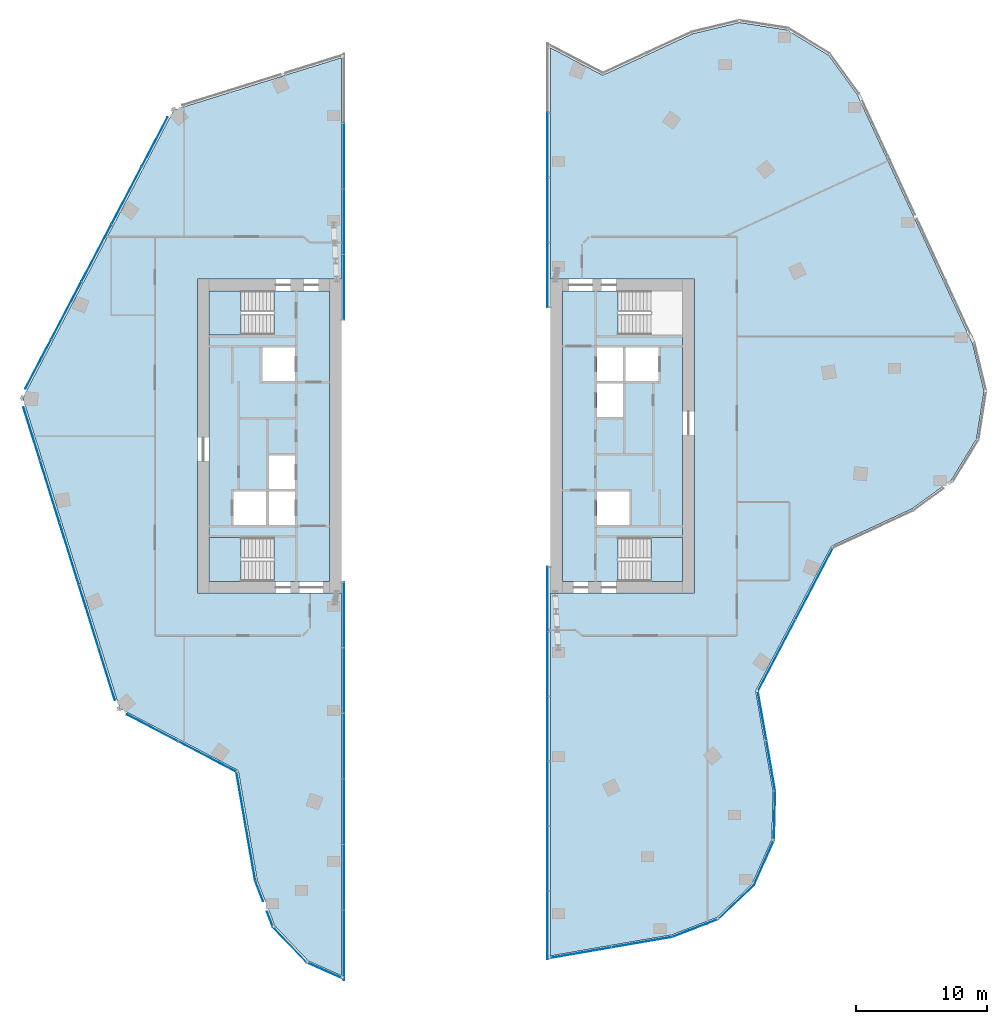
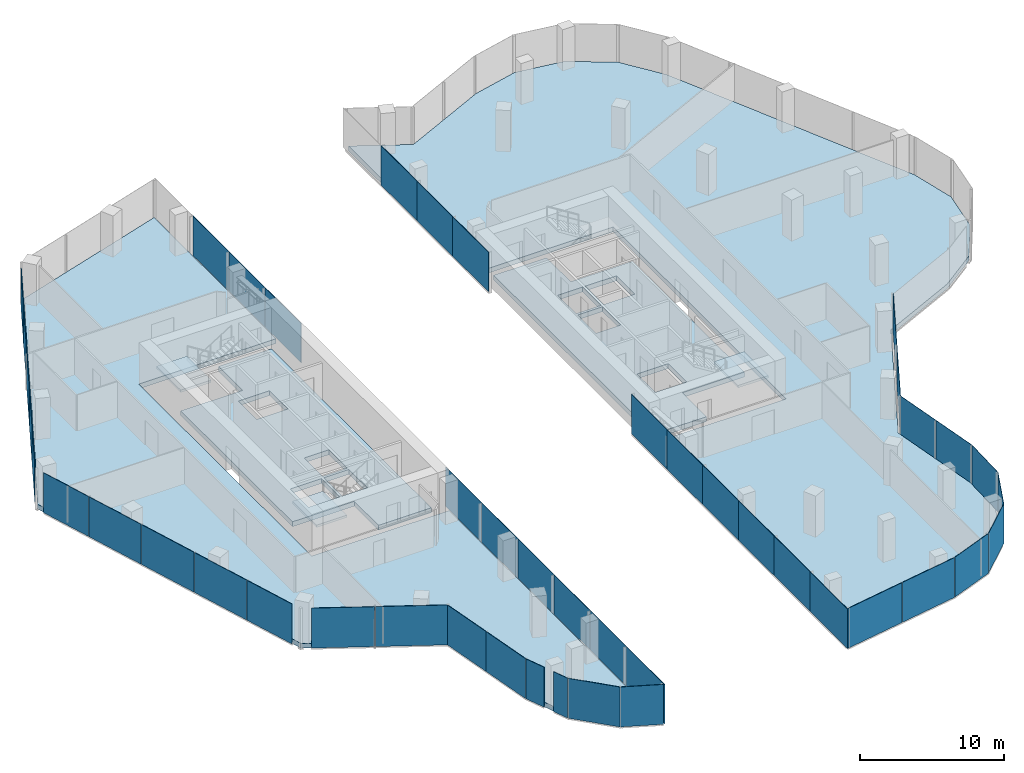
# One storey, part 16 of 23: 46 plates, 7 slabs, 19 elements without a shape of their own.
"""IFC4 building model written with IfcOpenShell, lengths in metres."""

from ifc_helpers import new_model, si_unit, direction, frame, origin, origin_2d, place, context, subcontext, project, spatial, polyline, rectangle, outline, extrude, material, layer, layer_set, type_object, element, aggregate, save


model = new_model("IFC4")

# Units and contexts
model_context = context("Model", 3, precision=1e-05, world=origin(), true_north=direction((0.0, 1.0)))
body_context = subcontext(model_context, "Body", "Model", "MODEL_VIEW")
ifc_project = project(units=[si_unit("LENGTHUNIT", "METRE"), si_unit("AREAUNIT", "SQUARE_METRE"), si_unit("VOLUMEUNIT", "CUBIC_METRE"), si_unit("PLANEANGLEUNIT", "RADIAN"), si_unit("MASSUNIT", "GRAM", prefix="KILO")], contexts=[model_context])

# Site, building, storey
site_placement = place(None, origin())
site = spatial("IfcSite", under=ifc_project, at=site_placement, CompositionType="ELEMENT")
building_placement = place(site_placement, origin())
building = spatial("IfcBuilding", under=site, at=building_placement, Name="Orlundy Tower", CompositionType="ELEMENT")
storey_placement = place(building_placement, frame((0.0, 0.0, 257.0)))
storey = spatial("IfcBuildingStorey", under=building, at=storey_placement, Name="L68", CompositionType="ELEMENT", Elevation=257.0)

# Curtain wall, plates
ifc_material_1 = material(Name="Aluminium bronze anodised", Category="aluminium")
curtain_wall_type = type_object("IfcCurtainWallType", Name="CW1 wall", PredefinedType="NOTDEFINED", material=ifc_material_1)
curtain_wall_1_placement = place(storey_placement, origin())
curtain_wall_1 = element("IfcCurtainWall", 1, at=curtain_wall_1_placement, inside=storey, type_object=curtain_wall_type, Name="CW1 run 00", PredefinedType="NOTDEFINED")
ifc_material_2 = material(Name="Tinted glass", Category="glass")
ifc_layer_1 = layer(ifc_material_2, 0.031982421875)
ifc_layer_set_1 = layer_set([ifc_layer_1], Name="CW1 glass panel 32")
plate_type_1 = type_object("IfcPlateType", Name="CW1 glass panel 32", PredefinedType="CURTAIN_PANEL", material=ifc_layer_set_1)
plate_1_placement = place(storey_placement, frame((-18.236328125, -24.4970703125, -0.280029296875), z_axis=(0.0, 0.0, 1.0), x_axis=(-0.885665125804, 0.464324546988, 0.0)))
plate_1 = element("IfcPlate", 2, at=plate_1_placement, type_object=plate_type_1, Name="CW1 panel", PredefinedType="CURTAIN_PANEL", context=body_context, shape_type="SweptSolid", body=[
    extrude(rectangle(XDim=5.01220703125, YDim=0.031982421875, at=origin_2d()), origin(), (0.0, 0.0, 1.0), 3.3798828125),
])
plate_2_placement = place(storey_placement, frame((-22.4384765625, -22.2939453125, -0.280029296875), z_axis=(0.0, 0.0, 1.0), x_axis=(-0.885665125804, 0.464324546988, 0.0)))
plate_2 = element("IfcPlate", 3, at=plate_2_placement, type_object=plate_type_1, Name="CW1 panel", PredefinedType="CURTAIN_PANEL", context=body_context, shape_type="SweptSolid", body=[
    extrude(rectangle(XDim=4.376953125, YDim=0.031982421875, at=origin_2d()), origin(), (0.0, 0.0, 1.0), 3.3798828125),
])
aggregate(curtain_wall_1, [plate_1, plate_2])

curtain_wall_2_placement = place(storey_placement, origin())
curtain_wall_2 = element("IfcCurtainWall", 4, at=curtain_wall_2_placement, inside=storey, type_object=curtain_wall_type, Name="CW1 run 01", PredefinedType="NOTDEFINED")
plate_3_placement = place(storey_placement, frame((-25.935302734375, -18.14599609375, -0.280029296875), z_axis=(0.0, 0.0, 1.0), x_axis=(-0.297954226643, 0.954580158408, 0.0)))
plate_3 = element("IfcPlate", 5, at=plate_3_placement, type_object=plate_type_1, Name="CW1 panel", PredefinedType="CURTAIN_PANEL", context=body_context, shape_type="SweptSolid", body=[
    extrude(rectangle(XDim=4.228271484375, YDim=0.031982421875, at=origin_2d()), origin(), (0.0, 0.0, 1.0), 3.3798828125),
])
plate_4_placement = place(storey_placement, frame((-27.31298828125, -13.731689453125, -0.280029296875), z_axis=(0.0, 0.0, 1.0), x_axis=(-0.297954226643, 0.954580158408, 0.0)))
plate_4 = element("IfcPlate", 6, at=plate_4_placement, type_object=plate_type_1, Name="CW1 panel", PredefinedType="CURTAIN_PANEL", context=body_context, shape_type="SweptSolid", body=[
    extrude(rectangle(XDim=4.920654296875, YDim=0.031982421875, at=origin_2d()), origin(), (0.0, 0.0, 1.0), 3.3798828125),
])
plate_5_placement = place(storey_placement, frame((-28.7939453125, -8.98681640625, -0.280029296875), z_axis=(0.0, 0.0, 1.0), x_axis=(-0.297954226643, 0.954580158408, 0.0)))
plate_5 = element("IfcPlate", 7, at=plate_5_placement, type_object=plate_type_1, Name="CW1 panel", PredefinedType="CURTAIN_PANEL", context=body_context, shape_type="SweptSolid", body=[
    extrude(rectangle(XDim=4.920654296875, YDim=0.031982421875, at=origin_2d()), origin(), (0.0, 0.0, 1.0), 3.3798828125),
])
plate_6_placement = place(storey_placement, frame((-30.275146484375, -4.241943359375, -0.280029296875), z_axis=(0.0, 0.0, 1.0), x_axis=(-0.297954226643, 0.954580158408, 0.0)))
plate_6 = element("IfcPlate", 8, at=plate_6_placement, type_object=plate_type_1, Name="CW1 panel", PredefinedType="CURTAIN_PANEL", context=body_context, shape_type="SweptSolid", body=[
    extrude(rectangle(XDim=4.920654296875, YDim=0.031982421875, at=origin_2d()), origin(), (0.0, 0.0, 1.0), 3.3798828125),
])
plate_7_placement = place(storey_placement, frame((-31.653076171875, 0.1728515625, -0.280029296875), z_axis=(0.0, 0.0, 1.0), x_axis=(-0.297954226643, 0.954580158408, 0.0)))
plate_7 = element("IfcPlate", 9, at=plate_7_placement, type_object=plate_type_1, Name="CW1 panel", PredefinedType="CURTAIN_PANEL", context=body_context, shape_type="SweptSolid", body=[
    extrude(rectangle(XDim=4.229248046875, YDim=0.031982421875, at=origin_2d()), origin(), (0.0, 0.0, 1.0), 3.3798828125),
])
aggregate(curtain_wall_2, [plate_3, plate_4, plate_5, plate_6, plate_7])

curtain_wall_3_placement = place(storey_placement, origin())
curtain_wall_3 = element("IfcCurtainWall", 10, at=curtain_wall_3_placement, inside=storey, type_object=curtain_wall_type, Name="CW1 run 02", PredefinedType="NOTDEFINED")
plate_8_placement = place(storey_placement, frame((-31.17041015625, 5.5078125, -0.280029296875), z_axis=(0.0, 0.0, 1.0), x_axis=(0.464336233904, 0.885658998646, 0.0)))
plate_8 = element("IfcPlate", 11, at=plate_8_placement, type_object=plate_type_1, Name="CW1 panel", PredefinedType="CURTAIN_PANEL", context=body_context, shape_type="SweptSolid", body=[
    extrude(rectangle(XDim=4.228271484375, YDim=0.031982421875, at=origin_2d()), origin(), (0.0, 0.0, 1.0), 3.3798828125),
])
plate_9_placement = place(storey_placement, frame((-29.023193359375, 9.603515625, -0.280029296875), z_axis=(0.0, 0.0, 1.0), x_axis=(0.464336233904, 0.885658998646, 0.0)))
plate_9 = element("IfcPlate", 12, at=plate_9_placement, type_object=plate_type_1, Name="CW1 panel", PredefinedType="CURTAIN_PANEL", context=body_context, shape_type="SweptSolid", body=[
    extrude(rectangle(XDim=4.920654296875, YDim=0.031982421875, at=origin_2d()), origin(), (0.0, 0.0, 1.0), 3.3798828125),
])
plate_10_placement = place(storey_placement, frame((-26.71533203125, 14.005615234375, -0.280029296875), z_axis=(0.0, 0.0, 1.0), x_axis=(0.464336233904, 0.885658998646, 0.0)))
plate_10 = element("IfcPlate", 13, at=plate_10_placement, type_object=plate_type_1, Name="CW1 panel", PredefinedType="CURTAIN_PANEL", context=body_context, shape_type="SweptSolid", body=[
    extrude(rectangle(XDim=4.920654296875, YDim=0.031982421875, at=origin_2d()), origin(), (0.0, 0.0, 1.0), 3.3798828125),
])
plate_11_placement = place(storey_placement, frame((-24.4072265625, 18.407958984375, -0.280029296875), z_axis=(0.0, 0.0, 1.0), x_axis=(0.464336233904, 0.885658998646, 0.0)))
plate_11 = element("IfcPlate", 14, at=plate_11_placement, type_object=plate_type_1, Name="CW1 panel", PredefinedType="CURTAIN_PANEL", context=body_context, shape_type="SweptSolid", body=[
    extrude(rectangle(XDim=4.920654296875, YDim=0.031982421875, at=origin_2d()), origin(), (0.0, 0.0, 1.0), 3.3798828125),
])
plate_12_placement = place(storey_placement, frame((-22.259765625, 22.50390625, -0.280029296875), z_axis=(0.0, 0.0, 1.0), x_axis=(0.464336233904, 0.885658998646, 0.0)))
plate_12 = element("IfcPlate", 15, at=plate_12_placement, type_object=plate_type_1, Name="CW1 panel", PredefinedType="CURTAIN_PANEL", context=body_context, shape_type="SweptSolid", body=[
    extrude(rectangle(XDim=4.229248046875, YDim=0.031982421875, at=origin_2d()), origin(), (0.0, 0.0, 1.0), 3.3798828125),
])
aggregate(curtain_wall_3, [plate_8, plate_9, plate_10, plate_11, plate_12])

# Curtain wall, plate
curtain_wall_4_placement = place(storey_placement, origin())
curtain_wall_4 = element("IfcCurtainWall", 16, at=curtain_wall_4_placement, inside=storey, type_object=curtain_wall_type, Name="CW1 run 05", PredefinedType="NOTDEFINED")
plate_13_placement = place(storey_placement, frame((-9.2275390625, -40.85791015625, -0.280029296875), z_axis=(0.0, 0.0, 1.0), x_axis=(-0.914125034719, 0.405432387581, 0.0)))
plate_13 = element("IfcPlate", 17, at=plate_13_placement, type_object=plate_type_1, Name="CW1 panel", PredefinedType="CURTAIN_PANEL", context=body_context, shape_type="SweptSolid", body=[
    extrude(rectangle(XDim=3.044677734375, YDim=0.031982421875, at=origin_2d()), origin(), (0.0, 0.0, 1.0), 3.3798828125),
])
aggregate(curtain_wall_4, [plate_13])

curtain_wall_5_placement = place(storey_placement, origin())
curtain_wall_5 = element("IfcCurtainWall", 18, at=curtain_wall_5_placement, inside=storey, type_object=curtain_wall_type, Name="CW1 run 06", PredefinedType="NOTDEFINED")
plate_14_placement = place(storey_placement, frame((-11.919677734375, -38.87451171875, -0.280029296875), z_axis=(0.0, 0.0, 1.0), x_axis=(-0.689493494749, 0.724291875351, 0.0)))
plate_14 = element("IfcPlate", 19, at=plate_14_placement, type_object=plate_type_1, Name="CW1 panel", PredefinedType="CURTAIN_PANEL", context=body_context, shape_type="SweptSolid", body=[
    extrude(rectangle(XDim=3.772216796875, YDim=0.031982421875, at=origin_2d()), origin(), (0.0, 0.0, 1.0), 3.3798828125),
])
aggregate(curtain_wall_5, [plate_14])

# Curtain wall, plates
curtain_wall_6_placement = place(storey_placement, origin())
curtain_wall_6 = element("IfcCurtainWall", 20, at=curtain_wall_6_placement, inside=storey, type_object=curtain_wall_type, Name="CW1 run 07", PredefinedType="NOTDEFINED")
plate_15_placement = place(storey_placement, frame((-13.44482421875, -36.92578125, -0.280029296875), z_axis=(0.0, 0.0, 1.0), x_axis=(-0.359593615358, 0.933109013885, 0.0)))
plate_15 = element("IfcPlate", 21, at=plate_15_placement, type_object=plate_type_1, Name="CW1 panel", PredefinedType="CURTAIN_PANEL", context=body_context, shape_type="SweptSolid", body=[
    extrude(rectangle(XDim=1.2490234375, YDim=0.031982421875, at=origin_2d()), origin(), (0.0, 0.0, 1.0), 3.3798828125),
])
plate_16_placement = place(storey_placement, frame((-14.267822265625, -34.7900390625, -0.280029296875), z_axis=(0.0, 0.0, 1.0), x_axis=(-0.359593615358, 0.933109013885, 0.0)))
plate_16 = element("IfcPlate", 22, at=plate_16_placement, type_object=plate_type_1, Name="CW1 panel", PredefinedType="CURTAIN_PANEL", context=body_context, shape_type="SweptSolid", body=[
    extrude(rectangle(XDim=1.634521484375, YDim=0.031982421875, at=origin_2d()), origin(), (0.0, 0.0, 1.0), 3.3798828125),
])
aggregate(curtain_wall_6, [plate_15, plate_16])

curtain_wall_7_placement = place(storey_placement, origin())
curtain_wall_7 = element("IfcCurtainWall", 23, at=curtain_wall_7_placement, inside=storey, type_object=curtain_wall_type, Name="CW1 run 08", PredefinedType="NOTDEFINED")
plate_17_placement = place(storey_placement, frame((-14.9365234375, -31.89404296875, -0.280029296875), z_axis=(0.0, 0.0, 1.0), x_axis=(-0.170762449807, 0.985312227538, 0.0)))
plate_17 = element("IfcPlate", 24, at=plate_17_placement, type_object=plate_type_1, Name="CW1 panel", PredefinedType="CURTAIN_PANEL", context=body_context, shape_type="SweptSolid", body=[
    extrude(rectangle(XDim=4.232177734375, YDim=0.031982421875, at=origin_2d()), origin(), (0.0, 0.0, 1.0), 3.3798828125),
])
plate_18_placement = place(storey_placement, frame((-15.66162109375, -27.710205078125, -0.280029296875), z_axis=(0.0, 0.0, 1.0), x_axis=(-0.170762449807, 0.985312227538, 0.0)))
plate_18 = element("IfcPlate", 25, at=plate_18_placement, type_object=plate_type_1, Name="CW1 panel", PredefinedType="CURTAIN_PANEL", context=body_context, shape_type="SweptSolid", body=[
    extrude(rectangle(XDim=4.160400390625, YDim=0.031982421875, at=origin_2d()), origin(), (0.0, 0.0, 1.0), 3.3798828125),
])
aggregate(curtain_wall_7, [plate_17, plate_18])

curtain_wall_8_placement = place(storey_placement, origin())
curtain_wall_8 = element("IfcCurtainWall", 26, at=curtain_wall_8_placement, inside=storey, type_object=curtain_wall_type, Name="CW1 run 111", PredefinedType="NOTDEFINED")
plate_19_placement = place(storey_placement, frame((28.15771484375, -11.25439453125, -0.280029296875), z_axis=(0.0, 0.0, 1.0), x_axis=(-0.464333145939, -0.885660617608, 0.0)))
plate_19 = element("IfcPlate", 27, at=plate_19_placement, type_object=plate_type_1, Name="CW1 panel", PredefinedType="CURTAIN_PANEL", context=body_context, shape_type="SweptSolid", body=[
    extrude(rectangle(XDim=6.16259765625, YDim=0.031982421875, at=origin_2d()), origin(), (0.0, 0.0, 1.0), 3.3798828125),
])
plate_20_placement = place(storey_placement, frame((25.27294921875, -16.7568359375, -0.280029296875), z_axis=(0.0, 0.0, 1.0), x_axis=(-0.464333145939, -0.885660617608, 0.0)))
plate_20 = element("IfcPlate", 28, at=plate_20_placement, type_object=plate_type_1, Name="CW1 panel", PredefinedType="CURTAIN_PANEL", context=body_context, shape_type="SweptSolid", body=[
    extrude(rectangle(XDim=6.16259765625, YDim=0.031982421875, at=origin_2d()), origin(), (0.0, 0.0, 1.0), 3.3798828125),
])
aggregate(curtain_wall_8, [plate_19, plate_20])

curtain_wall_9_placement = place(storey_placement, origin())
curtain_wall_9 = element("IfcCurtainWall", 29, at=curtain_wall_9_placement, inside=storey, type_object=curtain_wall_type, Name="CW1 run 112", PredefinedType="NOTDEFINED")
plate_21_placement = place(storey_placement, frame((24.16748046875, -21.363525390625, -0.280029296875), z_axis=(0.0, 0.0, 1.0), x_axis=(0.170728522047, -0.985318106887, 0.0)))
plate_21 = element("IfcPlate", 30, at=plate_21_placement, type_object=plate_type_1, Name="CW1 panel", PredefinedType="CURTAIN_PANEL", context=body_context, shape_type="SweptSolid", body=[
    extrude(rectangle(XDim=3.8115234375, YDim=0.031982421875, at=origin_2d()), origin(), (0.0, 0.0, 1.0), 3.3798828125),
])
plate_22_placement = place(storey_placement, frame((24.830810546875, -25.19140625, -0.280029296875), z_axis=(0.0, 0.0, 1.0), x_axis=(0.170728522047, -0.985318106887, 0.0)))
plate_22 = element("IfcPlate", 31, at=plate_22_placement, type_object=plate_type_1, Name="CW1 panel", PredefinedType="CURTAIN_PANEL", context=body_context, shape_type="SweptSolid", body=[
    extrude(rectangle(XDim=3.858154296875, YDim=0.031982421875, at=origin_2d()), origin(), (0.0, 0.0, 1.0), 3.3798828125),
])
aggregate(curtain_wall_9, [plate_21, plate_22])

# Curtain wall, plate
curtain_wall_10_placement = place(storey_placement, origin())
curtain_wall_10 = element("IfcCurtainWall", 32, at=curtain_wall_10_placement, inside=storey, type_object=curtain_wall_type, Name="CW1 run 113", PredefinedType="NOTDEFINED")
plate_23_placement = place(storey_placement, frame((25.117919921875, -29.00634765625, -0.280029296875), z_axis=(0.0, 0.0, 1.0), x_axis=(-0.024553998372, -0.999698505132, 0.0)))
plate_23 = element("IfcPlate", 33, at=plate_23_placement, type_object=plate_type_1, Name="CW1 panel", PredefinedType="CURTAIN_PANEL", context=body_context, shape_type="SweptSolid", body=[
    extrude(rectangle(XDim=3.729736328125, YDim=0.031982421875, at=origin_2d()), origin(), (0.0, 0.0, 1.0), 3.3798828125),
])
aggregate(curtain_wall_10, [plate_23])

curtain_wall_11_placement = place(storey_placement, origin())
curtain_wall_11 = element("IfcCurtainWall", 34, at=curtain_wall_11_placement, inside=storey, type_object=curtain_wall_type, Name="CW1 run 114", PredefinedType="NOTDEFINED")
plate_24_placement = place(storey_placement, frame((24.307373046875, -32.594970703125, -0.280029296875), z_axis=(0.0, 0.0, 1.0), x_axis=(-0.405412554633, -0.914133830763, 0.0)))
plate_24 = element("IfcPlate", 35, at=plate_24_placement, type_object=plate_type_1, Name="CW1 panel", PredefinedType="CURTAIN_PANEL", context=body_context, shape_type="SweptSolid", body=[
    extrude(rectangle(XDim=3.772705078125, YDim=0.031982421875, at=origin_2d()), origin(), (0.0, 0.0, 1.0), 3.3798828125),
])
aggregate(curtain_wall_11, [plate_24])

curtain_wall_12_placement = place(storey_placement, origin())
curtain_wall_12 = element("IfcCurtainWall", 36, at=curtain_wall_12_placement, inside=storey, type_object=curtain_wall_type, Name="CW1 run 115", PredefinedType="NOTDEFINED")
plate_25_placement = place(storey_placement, frame((22.176513671875, -35.619384765625, -0.280029296875), z_axis=(0.0, 0.0, 1.0), x_axis=(-0.7244266007, -0.689351942188, 0.0)))
plate_25 = element("IfcPlate", 37, at=plate_25_placement, type_object=plate_type_1, Name="CW1 panel", PredefinedType="CURTAIN_PANEL", context=body_context, shape_type="SweptSolid", body=[
    extrude(rectangle(XDim=3.771728515625, YDim=0.031982421875, at=origin_2d()), origin(), (0.0, 0.0, 1.0), 3.3798828125),
])
aggregate(curtain_wall_12, [plate_25])

curtain_wall_13_placement = place(storey_placement, origin())
curtain_wall_13 = element("IfcCurtainWall", 38, at=curtain_wall_13_placement, inside=storey, type_object=curtain_wall_type, Name="CW1 run 116", PredefinedType="NOTDEFINED")
plate_26_placement = place(storey_placement, frame((19.06982421875, -37.590576171875, -0.280029296875), z_axis=(0.0, 0.0, 1.0), x_axis=(-0.933018476944, -0.359828461467, 0.0)))
plate_26 = element("IfcPlate", 39, at=plate_26_placement, type_object=plate_type_1, Name="CW1 panel", PredefinedType="CURTAIN_PANEL", context=body_context, shape_type="SweptSolid", body=[
    extrude(rectangle(XDim=3.73095703125, YDim=0.031982421875, at=origin_2d()), origin(), (0.0, 0.0, 1.0), 3.3798828125),
])
aggregate(curtain_wall_13, [plate_26])

# Curtain wall, plates
curtain_wall_14_placement = place(storey_placement, origin())
curtain_wall_14 = element("IfcCurtainWall", 40, at=curtain_wall_14_placement, inside=storey, type_object=curtain_wall_type, Name="CW1 run 117", PredefinedType="NOTDEFINED")
plate_27_placement = place(storey_placement, frame((14.982421875, -38.673583984375, -0.280029296875), z_axis=(0.0, 0.0, 1.0), x_axis=(-0.985315418883, -0.170744034483, 0.0)))
plate_27 = element("IfcPlate", 41, at=plate_27_placement, type_object=plate_type_1, Name="CW1 panel", PredefinedType="CURTAIN_PANEL", context=body_context, shape_type="SweptSolid", body=[
    extrude(rectangle(XDim=4.666015625, YDim=0.031982421875, at=origin_2d()), origin(), (0.0, 0.0, 1.0), 3.3798828125),
])
plate_28_placement = place(storey_placement, frame((10.235107421875, -39.49609375, -0.280029296875), z_axis=(0.0, 0.0, 1.0), x_axis=(-0.985315418883, -0.170744034483, 0.0)))
plate_28 = element("IfcPlate", 42, at=plate_28_placement, type_object=plate_type_1, Name="CW1 panel", PredefinedType="CURTAIN_PANEL", context=body_context, shape_type="SweptSolid", body=[
    extrude(rectangle(XDim=4.869873046875, YDim=0.031982421875, at=origin_2d()), origin(), (0.0, 0.0, 1.0), 3.3798828125),
])
aggregate(curtain_wall_14, [plate_27, plate_28])

curtain_wall_15_placement = place(storey_placement, origin())
curtain_wall_15 = element("IfcCurtainWall", 43, at=curtain_wall_15_placement, inside=storey, type_object=curtain_wall_type, Name="CW1 run 04", PredefinedType="NOTDEFINED")
ifc_material_3 = material(Name="Tinted glass", Category="glass")
ifc_layer_2 = layer(ifc_material_3, 0.035888671875)
ifc_layer_set_2 = layer_set([ifc_layer_2], Name="CW6 glass panel 36")
plate_type_2 = type_object("IfcPlateType", Name="CW6 glass panel 36", PredefinedType="CURTAIN_PANEL", material=ifc_layer_set_2)
plate_29_placement = place(storey_placement, frame((-7.778076171875, 21.41357421875, -0.240234375), z_axis=(0.0, 0.0, 1.0), x_axis=(0.0, -1.0, 0.0)))
plate_29 = element("IfcPlate", 44, at=plate_29_placement, type_object=plate_type_2, Name="CW6 panel", PredefinedType="CURTAIN_PANEL", context=body_context, shape_type="SweptSolid", body=[
    extrude(rectangle(XDim=5.010986328125, YDim=0.035888671875, at=origin_2d()), origin(), (0.0, 0.0, 1.0), 3.340087890625),
])
plate_30_placement = place(storey_placement, frame((-7.778076171875, 16.402587890625, -0.240234375), z_axis=(0.0, 0.0, 1.0), x_axis=(0.0, -1.0, 0.0)))
plate_30 = element("IfcPlate", 45, at=plate_30_placement, type_object=plate_type_2, Name="CW6 panel", PredefinedType="CURTAIN_PANEL", context=body_context, shape_type="SweptSolid", body=[
    extrude(rectangle(XDim=5.010986328125, YDim=0.035888671875, at=origin_2d()), origin(), (0.0, 0.0, 1.0), 3.340087890625),
])
plate_31_placement = place(storey_placement, frame((-7.778076171875, 11.391845703125, -0.240234375), z_axis=(0.0, 0.0, 1.0), x_axis=(0.0, -1.0, 0.0)))
plate_31 = element("IfcPlate", 46, at=plate_31_placement, type_object=plate_type_2, Name="CW6 panel", PredefinedType="CURTAIN_PANEL", context=body_context, shape_type="SweptSolid", body=[
    extrude(rectangle(XDim=5.010986328125, YDim=0.035888671875, at=origin_2d()), origin(), (0.0, 0.0, 1.0), 3.340087890625),
])
plate_32_placement = place(storey_placement, frame((-7.778076171875, -13.662841796875, -0.240234375), z_axis=(0.0, 0.0, 1.0), x_axis=(0.0, -1.0, 0.0)))
plate_32 = element("IfcPlate", 47, at=plate_32_placement, type_object=plate_type_2, Name="CW6 panel", PredefinedType="CURTAIN_PANEL", context=body_context, shape_type="SweptSolid", body=[
    extrude(rectangle(XDim=5.010986328125, YDim=0.035888671875, at=origin_2d()), origin(), (0.0, 0.0, 1.0), 3.340087890625),
])
plate_33_placement = place(storey_placement, frame((-7.778076171875, -18.673828125, -0.240234375), z_axis=(0.0, 0.0, 1.0), x_axis=(0.0, -1.0, 0.0)))
plate_33 = element("IfcPlate", 48, at=plate_33_placement, type_object=plate_type_2, Name="CW6 panel", PredefinedType="CURTAIN_PANEL", context=body_context, shape_type="SweptSolid", body=[
    extrude(rectangle(XDim=5.010986328125, YDim=0.035888671875, at=origin_2d()), origin(), (0.0, 0.0, 1.0), 3.340087890625),
])
plate_34_placement = place(storey_placement, frame((-7.778076171875, -23.684814453125, -0.240234375), z_axis=(0.0, 0.0, 1.0), x_axis=(0.0, -1.0, 0.0)))
plate_34 = element("IfcPlate", 49, at=plate_34_placement, type_object=plate_type_2, Name="CW6 panel", PredefinedType="CURTAIN_PANEL", context=body_context, shape_type="SweptSolid", body=[
    extrude(rectangle(XDim=5.010986328125, YDim=0.035888671875, at=origin_2d()), origin(), (0.0, 0.0, 1.0), 3.340087890625),
])
plate_35_placement = place(storey_placement, frame((-7.778076171875, -28.695556640625, -0.240234375), z_axis=(0.0, 0.0, 1.0), x_axis=(0.0, -1.0, 0.0)))
plate_35 = element("IfcPlate", 50, at=plate_35_placement, type_object=plate_type_2, Name="CW6 panel", PredefinedType="CURTAIN_PANEL", context=body_context, shape_type="SweptSolid", body=[
    extrude(rectangle(XDim=5.010986328125, YDim=0.035888671875, at=origin_2d()), origin(), (0.0, 0.0, 1.0), 3.340087890625),
])
plate_36_placement = place(storey_placement, frame((-7.778076171875, -33.70654296875, -0.240234375), z_axis=(0.0, 0.0, 1.0), x_axis=(0.0, -1.0, 0.0)))
plate_36 = element("IfcPlate", 51, at=plate_36_placement, type_object=plate_type_2, Name="CW6 panel", PredefinedType="CURTAIN_PANEL", context=body_context, shape_type="SweptSolid", body=[
    extrude(rectangle(XDim=5.010986328125, YDim=0.035888671875, at=origin_2d()), origin(), (0.0, 0.0, 1.0), 3.340087890625),
])
plate_37_placement = place(storey_placement, frame((-7.778076171875, -38.88818359375, -0.240234375), z_axis=(0.0, 0.0, 1.0), x_axis=(0.0, -1.0, 0.0)))
plate_37 = element("IfcPlate", 52, at=plate_37_placement, type_object=plate_type_2, Name="CW6 panel", PredefinedType="CURTAIN_PANEL", context=body_context, shape_type="SweptSolid", body=[
    extrude(rectangle(XDim=5.352294921875, YDim=0.035888671875, at=origin_2d()), origin(), (0.0, 0.0, 1.0), 3.340087890625),
])
aggregate(curtain_wall_15, [plate_29, plate_30, plate_31, plate_32, plate_33, plate_34, plate_35, plate_36, plate_37])

curtain_wall_16_placement = place(storey_placement, origin())
curtain_wall_16 = element("IfcCurtainWall", 53, at=curtain_wall_16_placement, inside=storey, type_object=curtain_wall_type, Name="CW1 run 118", PredefinedType="NOTDEFINED")
plate_38_placement = place(storey_placement, frame((7.778076171875, -37.370361328125, -0.240234375), z_axis=(0.0, 0.0, 1.0), x_axis=(0.0, 1.0, 0.0)))
plate_38 = element("IfcPlate", 54, at=plate_38_placement, type_object=plate_type_2, Name="CW6 panel", PredefinedType="CURTAIN_PANEL", context=body_context, shape_type="SweptSolid", body=[
    extrude(rectangle(XDim=5.220703125, YDim=0.035888671875, at=origin_2d()), origin(), (0.0, 0.0, 1.0), 3.340087890625),
])
plate_39_placement = place(storey_placement, frame((7.778076171875, -32.28173828125, -0.240234375), z_axis=(0.0, 0.0, 1.0), x_axis=(0.0, 1.0, 0.0)))
plate_39 = element("IfcPlate", 55, at=plate_39_placement, type_object=plate_type_2, Name="CW6 panel", PredefinedType="CURTAIN_PANEL", context=body_context, shape_type="SweptSolid", body=[
    extrude(rectangle(XDim=4.956787109375, YDim=0.035888671875, at=origin_2d()), origin(), (0.0, 0.0, 1.0), 3.340087890625),
])
plate_40_placement = place(storey_placement, frame((7.778076171875, -27.324951171875, -0.240234375), z_axis=(0.0, 0.0, 1.0), x_axis=(0.0, 1.0, 0.0)))
plate_40 = element("IfcPlate", 56, at=plate_40_placement, type_object=plate_type_2, Name="CW6 panel", PredefinedType="CURTAIN_PANEL", context=body_context, shape_type="SweptSolid", body=[
    extrude(rectangle(XDim=4.956787109375, YDim=0.035888671875, at=origin_2d()), origin(), (0.0, 0.0, 1.0), 3.340087890625),
])
plate_41_placement = place(storey_placement, frame((7.778076171875, -22.367919921875, -0.240234375), z_axis=(0.0, 0.0, 1.0), x_axis=(0.0, 1.0, 0.0)))
plate_41 = element("IfcPlate", 57, at=plate_41_placement, type_object=plate_type_2, Name="CW6 panel", PredefinedType="CURTAIN_PANEL", context=body_context, shape_type="SweptSolid", body=[
    extrude(rectangle(XDim=4.956787109375, YDim=0.035888671875, at=origin_2d()), origin(), (0.0, 0.0, 1.0), 3.340087890625),
])
plate_42_placement = place(storey_placement, frame((7.778076171875, -17.4111328125, -0.240234375), z_axis=(0.0, 0.0, 1.0), x_axis=(0.0, 1.0, 0.0)))
plate_42 = element("IfcPlate", 58, at=plate_42_placement, type_object=plate_type_2, Name="CW6 panel", PredefinedType="CURTAIN_PANEL", context=body_context, shape_type="SweptSolid", body=[
    extrude(rectangle(XDim=4.956787109375, YDim=0.035888671875, at=origin_2d()), origin(), (0.0, 0.0, 1.0), 3.340087890625),
])
plate_43_placement = place(storey_placement, frame((7.778076171875, -12.454345703125, -0.240234375), z_axis=(0.0, 0.0, 1.0), x_axis=(0.0, 1.0, 0.0)))
plate_43 = element("IfcPlate", 59, at=plate_43_placement, type_object=plate_type_2, Name="CW6 panel", PredefinedType="CURTAIN_PANEL", context=body_context, shape_type="SweptSolid", body=[
    extrude(rectangle(XDim=4.956787109375, YDim=0.035888671875, at=origin_2d()), origin(), (0.0, 0.0, 1.0), 3.340087890625),
])
plate_44_placement = place(storey_placement, frame((7.778076171875, 12.330078125, -0.240234375), z_axis=(0.0, 0.0, 1.0), x_axis=(0.0, 1.0, 0.0)))
plate_44 = element("IfcPlate", 60, at=plate_44_placement, type_object=plate_type_2, Name="CW6 panel", PredefinedType="CURTAIN_PANEL", context=body_context, shape_type="SweptSolid", body=[
    extrude(rectangle(XDim=4.956787109375, YDim=0.035888671875, at=origin_2d()), origin(), (0.0, 0.0, 1.0), 3.340087890625),
])
plate_45_placement = place(storey_placement, frame((7.778076171875, 17.286865234375, -0.240234375), z_axis=(0.0, 0.0, 1.0), x_axis=(0.0, 1.0, 0.0)))
plate_45 = element("IfcPlate", 61, at=plate_45_placement, type_object=plate_type_2, Name="CW6 panel", PredefinedType="CURTAIN_PANEL", context=body_context, shape_type="SweptSolid", body=[
    extrude(rectangle(XDim=4.956787109375, YDim=0.035888671875, at=origin_2d()), origin(), (0.0, 0.0, 1.0), 3.340087890625),
])
plate_46_placement = place(storey_placement, frame((7.778076171875, 22.24365234375, -0.240234375), z_axis=(0.0, 0.0, 1.0), x_axis=(0.0, 1.0, 0.0)))
plate_46 = element("IfcPlate", 62, at=plate_46_placement, type_object=plate_type_2, Name="CW6 panel", PredefinedType="CURTAIN_PANEL", context=body_context, shape_type="SweptSolid", body=[
    extrude(rectangle(XDim=4.956787109375, YDim=0.035888671875, at=origin_2d()), origin(), (0.0, 0.0, 1.0), 3.340087890625),
])
aggregate(curtain_wall_16, [plate_38, plate_39, plate_40, plate_41, plate_42, plate_43, plate_44, plate_45, plate_46])

# Slabs
ifc_material_4 = material(Name="Concrete C50/60", Category="concrete")
ifc_layer_3 = layer(ifc_material_4, 0.409912109375)
ifc_layer_set_3 = layer_set([ifc_layer_3], Name="Core Floor Slab 410")
slab_type_1 = type_object("IfcSlabType", Name="Core Floor Slab 410", PredefinedType="FLOOR", material=ifc_layer_set_3)
slab_1_placement = place(storey_placement, frame((0.0, 0.0, -0.409912109375)))
element("IfcSlab", 63, at=slab_1_placement, inside=storey, type_object=slab_type_1, Name="Core floor W52", PredefinedType="FLOOR", context=body_context, shape_type="SweptSolid", body=[
    extrude(outline(polyline([(-18.10009765625, 7.75), (-13.14501953125, 7.75), (-13.14501953125, 11.10009765625), (-8.89990234375, 11.10009765625), (-8.89990234375, -11.10009765625), (-13.14501953125, -11.10009765625), (-13.14501953125, -7.75), (-18.10009765625, -7.75), (-18.10009765625, 7.75)]), holes=[polyline([(-13.5400390625, -4.22509765625), (-13.5400390625, -6.77490234375), (-11.5400390625, -6.77490234375), (-11.5400390625, -4.22509765625), (-13.5400390625, -4.22509765625)]), polyline([(-13.739990234375, -4.22509765625), (-16.239990234375, -4.22509765625), (-16.239990234375, -6.77490234375), (-13.739990234375, -6.77490234375), (-13.739990234375, -4.22509765625)]), polyline([(-11.5400390625, -4.02490234375), (-11.5400390625, -1.47509765625), (-13.5400390625, -1.47509765625), (-13.5400390625, -4.02490234375), (-11.5400390625, -4.02490234375)]), polyline([(-14.0400390625, 4.22509765625), (-11.5400390625, 4.22509765625), (-11.5400390625, 6.77490234375), (-14.0400390625, 6.77490234375), (-14.0400390625, 4.22509765625)])]), origin(), (0.0, 0.0, 1.0), 0.409912109375),
])
slab_2_placement = place(storey_placement, frame((0.0, 0.0, -0.409912109375)))
element("IfcSlab", 64, at=slab_2_placement, inside=storey, type_object=slab_type_1, Name="Core floor E52", PredefinedType="FLOOR", context=body_context, shape_type="SweptSolid", body=[
    extrude(outline(polyline([(18.10009765625, -7.75), (13.14501953125, -7.75), (13.14501953125, -11.10009765625), (8.89990234375, -11.10009765625), (8.89990234375, 11.10009765625), (13.14501953125, 11.10009765625), (13.14501953125, 7.75), (18.10009765625, 7.75), (18.10009765625, -7.75)]), holes=[polyline([(13.5400390625, 4.22509765625), (13.5400390625, 6.77490234375), (11.5400390625, 6.77490234375), (11.5400390625, 4.22509765625), (13.5400390625, 4.22509765625)]), polyline([(13.739990234375, 4.22509765625), (16.239990234375, 4.22509765625), (16.239990234375, 6.77490234375), (13.739990234375, 6.77490234375), (13.739990234375, 4.22509765625)]), polyline([(11.5400390625, 4.02490234375), (11.5400390625, 1.47509765625), (13.5400390625, 1.47509765625), (13.5400390625, 4.02490234375), (11.5400390625, 4.02490234375)]), polyline([(14.0400390625, -4.22509765625), (11.5400390625, -4.22509765625), (11.5400390625, -6.77490234375), (14.0400390625, -6.77490234375), (14.0400390625, -4.22509765625)])]), origin(), (0.0, 0.0, 1.0), 0.409912109375),
])

# Stair, slab
ifc_material_5 = material(Name="Concrete C50/60", Category="concrete")
stair_type = type_object("IfcStairType", Name="Exit Stair 20 risers", PredefinedType="HALF_TURN_STAIR", material=ifc_material_5)
stair_1_placement = place(storey_placement, origin())
stair_1 = element("IfcStair", 65, at=stair_1_placement, inside=storey, type_object=stair_type, Name="L68 Exit Stair ST-W1", PredefinedType="HALF_TURN_STAIR")
ifc_material_6 = material(Name="Concrete C50/60", Category="concrete")
ifc_layer_4 = layer(ifc_material_6, 0.199951171875)
ifc_layer_set_4 = layer_set([ifc_layer_4], Name="Exit Stair Landing")
slab_type_2 = type_object("IfcSlabType", Name="Exit Stair Landing", PredefinedType="LANDING", material=ifc_layer_set_4)
slab_3_placement = place(storey_placement, frame((0.0, 0.0, 1.550048828125)))
slab_3 = element("IfcSlab", 66, at=slab_3_placement, type_object=slab_type_2, Name="ST-W1 landing 1", PredefinedType="LANDING", context=body_context, shape_type="SweptSolid", body=[
    extrude(outline(polyline([(-15.659912109375, 11.10009765625), (-18.10009765625, 11.10009765625), (-18.10009765625, 7.75), (-15.659912109375, 7.75), (-15.659912109375, 11.10009765625)])), origin(), (0.0, 0.0, 1.0), 0.199951171875),
])
aggregate(stair_1, [slab_3])

stair_2_placement = place(storey_placement, origin())
stair_2 = element("IfcStair", 67, at=stair_2_placement, inside=storey, type_object=stair_type, Name="L68 Exit Stair ST-W2", PredefinedType="HALF_TURN_STAIR")
slab_4_placement = place(storey_placement, frame((0.0, 0.0, 1.550048828125)))
slab_4 = element("IfcSlab", 68, at=slab_4_placement, type_object=slab_type_2, Name="ST-W2 landing 1", PredefinedType="LANDING", context=body_context, shape_type="SweptSolid", body=[
    extrude(outline(polyline([(-15.659912109375, -7.75), (-18.10009765625, -7.75), (-18.10009765625, -11.10009765625), (-15.659912109375, -11.10009765625), (-15.659912109375, -7.75)])), origin(), (0.0, 0.0, 1.0), 0.199951171875),
])
aggregate(stair_2, [slab_4])

stair_3_placement = place(storey_placement, origin())
stair_3 = element("IfcStair", 69, at=stair_3_placement, inside=storey, type_object=stair_type, Name="L68 Exit Stair ST-E1", PredefinedType="HALF_TURN_STAIR")
slab_5_placement = place(storey_placement, frame((0.0, 0.0, 1.550048828125)))
slab_5 = element("IfcSlab", 70, at=slab_5_placement, type_object=slab_type_2, Name="ST-E1 landing 1", PredefinedType="LANDING", context=body_context, shape_type="SweptSolid", body=[
    extrude(outline(polyline([(15.659912109375, -11.10009765625), (18.10009765625, -11.10009765625), (18.10009765625, -7.75), (15.659912109375, -7.75), (15.659912109375, -11.10009765625)])), origin(), (0.0, 0.0, 1.0), 0.199951171875),
])
aggregate(stair_3, [slab_5])

# Slabs
ifc_material_7 = material(Name="Concrete C45/55", Category="concrete")
ifc_layer_5 = layer(ifc_material_7, 0.39990234375)
ifc_layer_set_5 = layer_set([ifc_layer_5], Name="FLOOR SLAB THICK 400 C45/55")
slab_type_3 = type_object("IfcSlabType", Name="FLOOR SLAB THICK 400 C45/55", PredefinedType="FLOOR", material=ifc_layer_set_5)
slab_6_placement = place(storey_placement, frame((0.0, 0.0, -0.39990234375)))
element("IfcSlab", 71, at=slab_6_placement, inside=storey, type_object=slab_type_3, Name="Floor slab L68", PredefinedType="FLOOR", context=body_context, shape_type="SweptSolid", body=[
    extrude(outline(polyline([(-24.93505859375, -20.800048828125), (-32.340087890625, 2.924072265625), (-20.800048828125, 24.93505859375), (-8.0, 28.929931640625), (-8.0, 12.0), (-19.0, 12.0), (-19.0, -12.0), (-8.0, -12.0), (-8.0, -41.222900390625), (-10.52294921875, -40.10400390625), (-13.0791015625, -37.4189453125), (-14.412109375, -33.9599609375), (-15.868896484375, -25.552978515625), (-24.93505859375, -20.800048828125)])), origin(), (0.0, 0.0, 1.0), 0.39990234375),
])
slab_7_placement = place(storey_placement, frame((0.0, 0.0, -0.39990234375)))
element("IfcSlab", 72, at=slab_7_placement, inside=storey, type_object=slab_type_3, Name="Floor slab L68", PredefinedType="FLOOR", context=body_context, shape_type="SweptSolid", body=[
    extrude(outline(polyline([(18.825927734375, 30.75), (22.428955078125, 31.62109375), (26.091064453125, 31.0458984375), (29.2548828125, 29.114013671875), (31.43798828125, 26.117919921875), (40.257080078125, 7.06005859375), (41.1279296875, 3.45703125), (40.552978515625, -0.205078125), (38.62109375, -3.367919921875), (35.6259765625, -5.551025390625), (29.468994140625, -8.39990234375), (23.6708984375, -19.458984375), (25.0, -27.12890625), (24.908935546875, -30.833984375), (23.406005859375, -34.222900390625), (20.720947265625, -36.778076171875), (17.261962890625, -38.112060546875), (8.0, -39.717041015625), (8.0, -12.0), (19.0, -12.0), (19.0, 12.0), (8.0, 12.0), (8.0, 29.678955078125), (11.990966796875, 27.5869140625), (18.825927734375, 30.75)])), origin(), (0.0, 0.0, 1.0), 0.39990234375),
])

save(model, "model.ifc")
